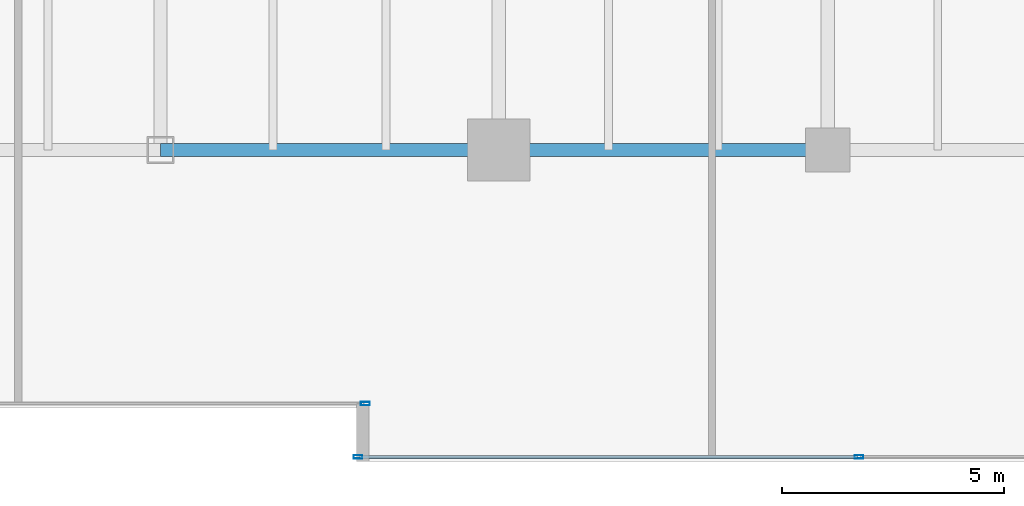
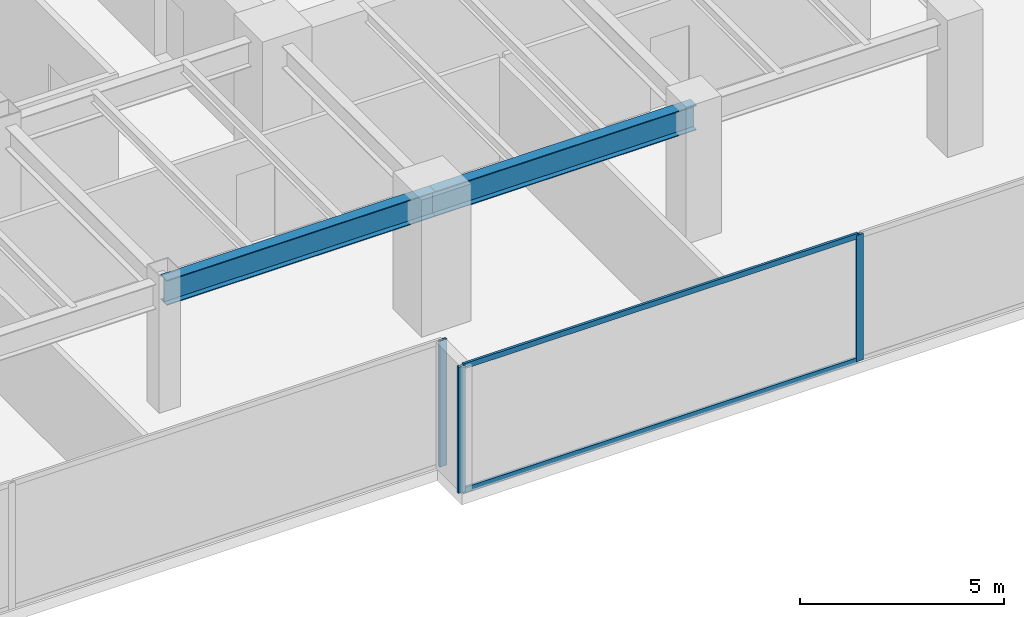
# One storey, part 10 of 35: 5 members, 2 beams, 2 elements without a shape of their own.
"""IFC4 building model written with IfcOpenShell, lengths in metres."""

from ifc_helpers import new_model, si_unit, direction, frame, origin, origin_2d, place, context, subcontext, project, spatial, hollow_rectangle, i_section, extrude, source, transform, mapped, material, layer, layer_set, material_profile, profile_set, type_object, type_shapes, element, aggregate, save


model = new_model("IFC4")

# Units and contexts
model_context = context("Model", 3, precision=1e-05, world=origin(), true_north=direction((0.0, 1.0)))
body_context = subcontext(model_context, "Body", "Model", "MODEL_VIEW")
ifc_project = project(units=[si_unit("LENGTHUNIT", "METRE"), si_unit("AREAUNIT", "SQUARE_METRE"), si_unit("VOLUMEUNIT", "CUBIC_METRE"), si_unit("PLANEANGLEUNIT", "RADIAN"), si_unit("MASSUNIT", "GRAM", prefix="KILO")], contexts=[model_context])

# Site, building, storey
site_placement = place(None, origin())
site = spatial("IfcSite", under=ifc_project, at=site_placement, CompositionType="ELEMENT")
building_placement = place(site_placement, origin())
building = spatial("IfcBuilding", under=site, at=building_placement, Name="Haelvirn Gate Laboratories", CompositionType="ELEMENT")
storey_placement = place(building_placement, frame((0.0, 0.0, 86.699951171875)))
storey = spatial("IfcBuildingStorey", under=building, at=storey_placement, Name="L21", CompositionType="ELEMENT", Elevation=86.699951171875)

# Beams
ifc_material_1 = material(Name="Steel SM355", Category="steel")
ifc_material_profile_1 = material_profile(ifc_material_1, i_section(OverallWidth=0.300048828125, OverallDepth=0.75, WebThickness=0.013916015625, FlangeThickness=0.02392578125, at=origin_2d()), Name="H-750x300x14x24")
ifc_profile_set_1 = profile_set([ifc_material_profile_1], Name="Steel SM355")
beam_type = type_object("IfcBeamType", Name="BM-G-750", PredefinedType="BEAM", material=ifc_profile_set_1)
shared_shape_1 = source(origin(), body_context, "Body", "SweptSolid", [
    extrude(i_section(OverallWidth=0.300048828125, OverallDepth=0.75, WebThickness=0.013916015625, FlangeThickness=0.02392578125, at=origin_2d()), origin(), (0.0, 0.0, 1.0), 7.39990234375),
])
beam_1_placement = place(storey_placement, frame((52.60009765625, 7.0, 3.405029296875), z_axis=(1.0, 0.0, 0.0), x_axis=(0.0, 1.0, 0.0)))
element("IfcBeam", 1, at=beam_1_placement, inside=storey, type_object=beam_type, Name="L21 Primary Girder Y7.0 (52.6-60.0)", PredefinedType="BEAM", context=body_context, shape_type="MappedRepresentation", body=[
    mapped(shared_shape_1, transform((0.0, 0.0, 0.0), scale=1.0)),
])
shared_shape_2 = source(origin(), body_context, "Body", "SweptSolid", [
    extrude(i_section(OverallWidth=0.300048828125, OverallDepth=0.75, WebThickness=0.013916015625, FlangeThickness=0.02392578125, at=origin_2d()), origin(), (0.0, 0.0, 1.0), 7.60009765625),
])
type_shapes(beam_type, [shared_shape_1, shared_shape_2])
beam_2_placement = place(storey_placement, frame((45.0, 7.0, 3.405029296875), z_axis=(1.0, 0.0, 0.0), x_axis=(0.0, 1.0, 0.0)))
element("IfcBeam", 2, at=beam_2_placement, inside=storey, type_object=beam_type, Name="L21 Primary Girder Y7.0 (45.0-52.6)", PredefinedType="BEAM", context=body_context, shape_type="MappedRepresentation", body=[
    mapped(shared_shape_2, transform((0.0, 0.0, 0.0), scale=1.0)),
])

# Curtain wall, member
ifc_material_2 = material(Name="Anodised bronze unitised aluminium & triple low-E glass", Category="aluminium")
ifc_layer = layer(ifc_material_2, 0.18408203125, Name="CW-SYS-2")
ifc_layer_set = layer_set([ifc_layer], Name="Anodised bronze unitised aluminium & triple low-E glass")
curtain_wall_type = type_object("IfcCurtainWallType", Name="CW-SYS-2", PredefinedType="NOTDEFINED", material=ifc_layer_set)
curtain_wall_1_placement = place(storey_placement, origin())
curtain_wall_1 = element("IfcCurtainWall", 3, at=curtain_wall_1_placement, inside=storey, type_object=curtain_wall_type, Name="L21 Unitised Curtain Wall CW-L21-P0-E02-1", PredefinedType="NOTDEFINED")
ifc_material_3 = material(Name="Extruded aluminium 6063-T6 (anodised bronze)", Category="aluminium")
ifc_material_profile_2 = material_profile(ifc_material_3, hollow_rectangle(XDim=0.074951171875, YDim=0.199951171875, WallThickness=0.0048828125, at=origin_2d()), Name="CWM-200x75x5")
ifc_profile_set_2 = profile_set([ifc_material_profile_2], Name="Extruded aluminium 6063-T6 (anodised bronze)")
member_type_1 = type_object("IfcMemberType", Name="CWM-T200", PredefinedType="MULLION", material=ifc_profile_set_2)
shared_shape_3 = source(origin(), body_context, "Body", "SweptSolid", [
    extrude(hollow_rectangle(XDim=0.074951171875, YDim=0.199951171875, WallThickness=0.0048828125, at=origin_2d()), origin(), (0.0, 0.0, 1.0), 3.780029296875),
])
type_shapes(member_type_1, [shared_shape_3])
member_1_placement = place(storey_placement, frame((49.6025390625, 1.300048828125, 0.0), z_axis=(0.0, 0.0, 1.0), x_axis=(0.0, 1.0, 0.0)))
member_1 = element("IfcMember", 4, at=member_1_placement, type_object=member_type_1, Name="CW2 mullion 3", PredefinedType="MULLION", context=body_context, shape_type="MappedRepresentation", body=[
    mapped(shared_shape_3, transform((0.0, 0.0, 0.0), scale=1.0)),
])
aggregate(curtain_wall_1, [member_1])

# Curtain wall, members
curtain_wall_2_placement = place(storey_placement, origin())
curtain_wall_2 = element("IfcCurtainWall", 5, at=curtain_wall_2_placement, inside=storey, type_object=curtain_wall_type, Name="L21 Unitised Curtain Wall CW-L21-P0-E04-1", PredefinedType="NOTDEFINED")
member_2_placement = place(storey_placement, frame((49.4375, 0.10009765625, 0.0), z_axis=(0.0, 0.0, 1.0), x_axis=(0.0, 1.0, 0.0)))
member_2 = element("IfcMember", 6, at=member_2_placement, type_object=member_type_1, Name="CW2 mullion 1", PredefinedType="MULLION", context=body_context, shape_type="MappedRepresentation", body=[
    mapped(shared_shape_3, transform((0.0, 0.0, 0.0), scale=1.0)),
])
member_3_placement = place(storey_placement, frame((60.699951171875, 0.10009765625, 0.0), z_axis=(0.0, 0.0, 1.0), x_axis=(0.0, 1.0, 0.0)))
member_3 = element("IfcMember", 7, at=member_3_placement, type_object=member_type_1, Name="CW2 mullion 2", PredefinedType="MULLION", context=body_context, shape_type="MappedRepresentation", body=[
    mapped(shared_shape_3, transform((0.0, 0.0, 0.0), scale=1.0)),
])
ifc_material_profile_3 = material_profile(ifc_material_3, hollow_rectangle(XDim=0.070068359375, YDim=0.159912109375, WallThickness=0.0048828125, at=origin_2d()), Name="CWT-160x70x5")
ifc_profile_set_3 = profile_set([ifc_material_profile_3], Name="Extruded aluminium 6063-T6 (anodised bronze)")
member_type_2 = type_object("IfcMemberType", Name="CWT-T160", PredefinedType="USERDEFINED", material=ifc_profile_set_3)
shared_shape_4 = source(origin(), body_context, "Body", "SweptSolid", [
    extrude(hollow_rectangle(XDim=0.070068359375, YDim=0.159912109375, WallThickness=0.0048828125, at=origin_2d()), origin(), (0.0, 0.0, 1.0), 11.1875),
])
type_shapes(member_type_2, [shared_shape_4])
member_4_placement = place(storey_placement, frame((49.47509765625, 0.10009765625, 0.03515625), z_axis=(1.0, 0.0, 0.0), x_axis=(0.0, 1.0, 0.0)))
member_4 = element("IfcMember", 8, at=member_4_placement, type_object=member_type_2, Name="CW2 transom 1.1", ObjectType="TRANSOM", PredefinedType="USERDEFINED", context=body_context, shape_type="MappedRepresentation", body=[
    mapped(shared_shape_4, transform((0.0, 0.0, 0.0), scale=1.0)),
])
member_5_placement = place(storey_placement, frame((49.47509765625, 0.10009765625, 3.7451171875), z_axis=(1.0, 0.0, 0.0), x_axis=(0.0, 1.0, 0.0)))
member_5 = element("IfcMember", 9, at=member_5_placement, type_object=member_type_2, Name="CW2 transom 1.2", ObjectType="TRANSOM", PredefinedType="USERDEFINED", context=body_context, shape_type="MappedRepresentation", body=[
    mapped(shared_shape_4, transform((0.0, 0.0, 0.0), scale=1.0)),
])
aggregate(curtain_wall_2, [member_2, member_3, member_4, member_5])

save(model, "model.ifc")
